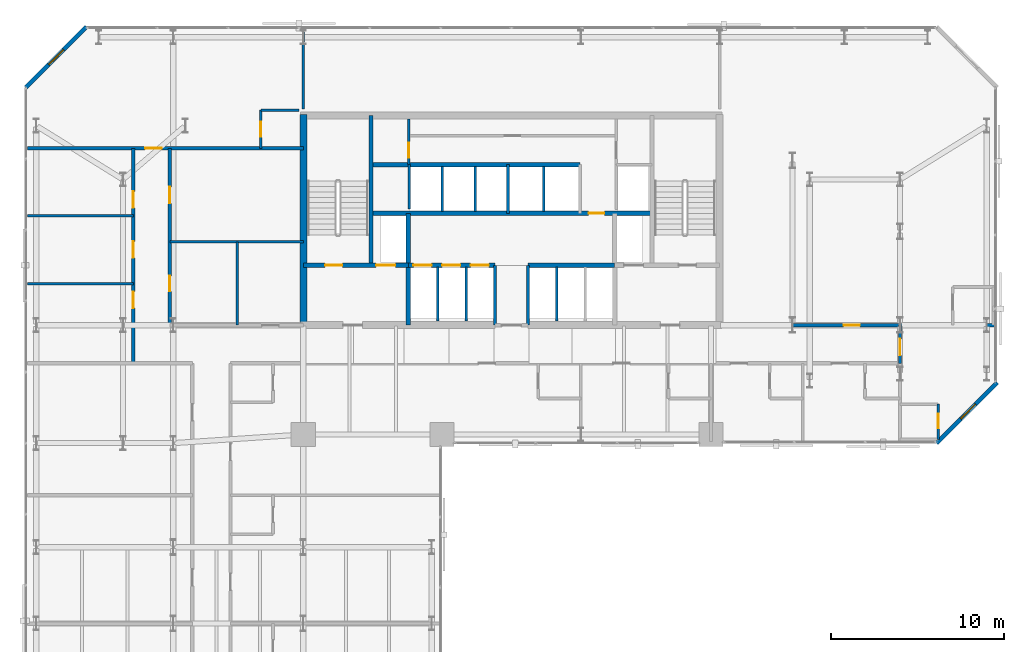
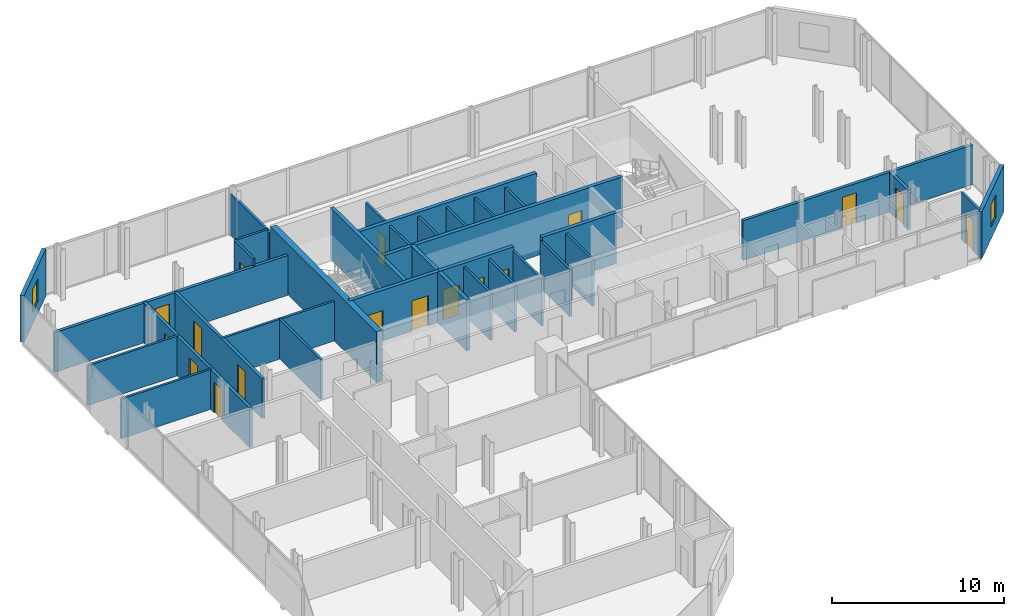
# One storey, part 30 of 33: 34 walls, 17 doors, 2 windows, 19 openings.
"""IFC4 building model written with IfcOpenShell, lengths in metres."""

from ifc_helpers import new_model, si_unit, direction, frame, frame_2d, origin, place, context, subcontext, project, spatial, rectangle, extrude, material, layer, layer_set, type_object, element, fill, save


model = new_model("IFC4")

# Units and contexts
model_context = context("Model", 3, precision=1e-05, world=origin(), true_north=direction((0.0, 1.0)))
body_context = subcontext(model_context, "Body", "Model", "MODEL_VIEW")
ifc_project = project(units=[si_unit("LENGTHUNIT", "METRE"), si_unit("AREAUNIT", "SQUARE_METRE"), si_unit("VOLUMEUNIT", "CUBIC_METRE"), si_unit("PLANEANGLEUNIT", "RADIAN"), si_unit("MASSUNIT", "GRAM", prefix="KILO")], contexts=[model_context])

# Site, building, storey
site_placement = place(None, origin())
site = spatial("IfcSite", under=ifc_project, at=site_placement, CompositionType="ELEMENT")
building_placement = place(site_placement, origin())
building = spatial("IfcBuilding", under=site, at=building_placement, Name="Catumbela Crestline Tower", CompositionType="ELEMENT")
storey_placement = place(building_placement, frame((0.0, 0.0, 58.2)))
storey = spatial("IfcBuildingStorey", under=building, at=storey_placement, Name="L14", CompositionType="ELEMENT", Elevation=58.2)

# Walls
ifc_material_1 = material(Name="Concrete C50/60", Category="concrete")
ifc_layer_1 = layer(ifc_material_1, 0.25, Name="Concrete C50/60")
ifc_layer_set_1 = layer_set([ifc_layer_1], Name="Concrete C50/60")
wall_type_1 = type_object("IfcWallType", Name="CW-250D", PredefinedType="SHEAR", material=ifc_layer_set_1)
wall_1_placement = place(storey_placement, frame((19.9, 34.25, 0.0), z_axis=(0.0, 0.0, 1.0), x_axis=(0.0, 1.0, 0.0)))
element("IfcWall", 1, at=wall_1_placement, inside=storey, type_object=wall_type_1, Name="L14 Structural Core Shear Wall WWEB", PredefinedType="SHEAR", context=body_context, shape_type="SweptSolid", body=[
    extrude(rectangle(XDim=8.65, YDim=0.25, at=frame_2d((4.325, 0.0))), origin(), (0.0, 0.0, 1.0), 3.6),
])
wall_2_placement = place(storey_placement, frame((22.05, 30.8, 0.0), z_axis=(0.0, 0.0, 1.0), x_axis=(0.0, 1.0, 0.0)))
element("IfcWall", 2, at=wall_2_placement, inside=storey, type_object=wall_type_1, Name="L14 Structural Core Shear Wall FFW", PredefinedType="SHEAR", context=body_context, shape_type="SweptSolid", body=[
    extrude(rectangle(XDim=6.45, YDim=0.25, at=frame_2d((3.225, 0.0))), origin(), (0.0, 0.0, 1.0), 3.6),
])

# Wall, openings, doors
wall_3_placement = place(storey_placement, frame((16.0, 34.25, 0.0), z_axis=(0.0, 0.0, 1.0), x_axis=(1.0, 0.0, 0.0)))
wall_3 = element("IfcWall", 3, at=wall_3_placement, inside=storey, type_object=wall_type_1, Name="L14 Structural Core Shear Wall ST1S", PredefinedType="SHEAR", context=body_context, shape_type="SweptSolid", body=[
    extrude(rectangle(XDim=6.05, YDim=0.25, at=frame_2d((3.025, 0.0))), origin(), (0.0, 0.0, 1.0), 3.6),
])
opening_1_placement = place(wall_3_placement, frame((1.25, 0.0, 0.0)))
opening_1 = element("IfcOpeningElement", 4, at=opening_1_placement, cuts=wall_3, Name="Opening DF9-100", PredefinedType="OPENING", context=body_context, shape_type="SweptSolid", body=[
    extrude(rectangle(XDim=1.0, YDim=2.15, at=frame_2d((0.5, 1.075))), frame((0.0, 0.135, 0.0), z_axis=(0.0, -1.0, 0.0), x_axis=(1.0, 0.0, 0.0)), (0.0, 0.0, 1.0), 0.27),
])
opening_2_placement = place(wall_3_placement, frame((4.2, 0.0, 0.0)))
opening_2 = element("IfcOpeningElement", 5, at=opening_2_placement, cuts=wall_3, Name="Opening LD-110", PredefinedType="OPENING", context=body_context, shape_type="SweptSolid", body=[
    extrude(rectangle(XDim=1.1, YDim=2.15, at=frame_2d((0.55, 1.075))), frame((0.0, 0.135, 0.0), z_axis=(0.0, -1.0, 0.0), x_axis=(1.0, 0.0, 0.0)), (0.0, 0.0, 1.0), 0.27),
])
ifc_material_2 = material(Name="Stainless steel EN 1.4401", Category="steel")
door_type_1 = type_object("IfcDoorType", Name="DF9-100", OperationType="NOTDEFINED", PredefinedType="DOOR", material=ifc_material_2)
door_1_placement = place(opening_1_placement, origin())
door_1 = element("IfcDoor", 6, at=door_1_placement, inside=storey, type_object=door_type_1, Name="L14 Interior Door DR-L14-ST01", OperationType="SINGLE_SWING_LEFT", OverallHeight=2.15, OverallWidth=1.0, PredefinedType="DOOR", context=body_context, shape_type="SweptSolid", body=[
    extrude(rectangle(XDim=1.0, YDim=2.15, at=frame_2d((0.5, 1.075))), frame((0.0, 0.025, 0.0), z_axis=(0.0, -1.0, 0.0), x_axis=(1.0, 0.0, 0.0)), (0.0, 0.0, 1.0), 0.05),
])
fill(opening_1, door_1)
door_type_2 = type_object("IfcDoorType", Name="LD-110", OperationType="NOTDEFINED", PredefinedType="DOOR", material=ifc_material_2)
door_2_placement = place(opening_2_placement, origin())
door_2 = element("IfcDoor", 7, at=door_2_placement, inside=storey, type_object=door_type_2, Name="L14 Lift Landing Sliding Door FL-01", OperationType="DOUBLE_DOOR_SLIDING", OverallHeight=2.15, OverallWidth=1.1, PredefinedType="DOOR", context=body_context, shape_type="SweptSolid", body=[
    extrude(rectangle(XDim=1.1, YDim=2.15, at=frame_2d((0.55, 1.075))), frame((0.0, 0.025, 0.0), z_axis=(0.0, -1.0, 0.0), x_axis=(1.0, 0.0, 0.0)), (0.0, 0.0, 1.0), 0.05),
])
fill(opening_2, door_2)

wall_4_placement = place(storey_placement, frame((22.05, 34.25, 0.0), z_axis=(0.0, 0.0, 1.0), x_axis=(1.0, 0.0, 0.0)))
wall_4 = element("IfcWall", 8, at=wall_4_placement, inside=storey, type_object=wall_type_1, Name="L14 Structural Core Shear Wall LIFTS-W", PredefinedType="SHEAR", context=body_context, shape_type="SweptSolid", body=[
    extrude(rectangle(XDim=5.0, YDim=0.25, at=frame_2d((2.5, 0.0))), origin(), (0.0, 0.0, 1.0), 3.6),
])
opening_3_placement = place(wall_4_placement, frame((0.3, 0.0, 0.0)))
opening_3 = element("IfcOpeningElement", 9, at=opening_3_placement, cuts=wall_4, Name="Opening LD-105", PredefinedType="OPENING", context=body_context, shape_type="SweptSolid", body=[
    extrude(rectangle(XDim=1.05, YDim=2.15, at=frame_2d((0.525, 1.075))), frame((0.0, 0.135, 0.0), z_axis=(0.0, -1.0, 0.0), x_axis=(1.0, 0.0, 0.0)), (0.0, 0.0, 1.0), 0.27),
])
opening_4_placement = place(wall_4_placement, frame((1.95, 0.0, 0.0)))
opening_4 = element("IfcOpeningElement", 10, at=opening_4_placement, cuts=wall_4, Name="Opening LD-105", PredefinedType="OPENING", context=body_context, shape_type="SweptSolid", body=[
    extrude(rectangle(XDim=1.05, YDim=2.15, at=frame_2d((0.525, 1.075))), frame((0.0, 0.135, 0.0), z_axis=(0.0, -1.0, 0.0), x_axis=(1.0, 0.0, 0.0)), (0.0, 0.0, 1.0), 0.27),
])
opening_5_placement = place(wall_4_placement, frame((3.6, 0.0, 0.0)))
opening_5 = element("IfcOpeningElement", 11, at=opening_5_placement, cuts=wall_4, Name="Opening LD-105", PredefinedType="OPENING", context=body_context, shape_type="SweptSolid", body=[
    extrude(rectangle(XDim=1.05, YDim=2.15, at=frame_2d((0.525, 1.075))), frame((0.0, 0.135, 0.0), z_axis=(0.0, -1.0, 0.0), x_axis=(1.0, 0.0, 0.0)), (0.0, 0.0, 1.0), 0.27),
])
door_type_3 = type_object("IfcDoorType", Name="LD-105", OperationType="NOTDEFINED", PredefinedType="DOOR", material=ifc_material_2)
door_3_placement = place(opening_3_placement, origin())
door_3 = element("IfcDoor", 12, at=door_3_placement, inside=storey, type_object=door_type_3, Name="L14 Lift Landing Sliding Door PL-L1", OperationType="DOUBLE_DOOR_SLIDING", OverallHeight=2.15, OverallWidth=1.05, PredefinedType="DOOR", context=body_context, shape_type="SweptSolid", body=[
    extrude(rectangle(XDim=1.05, YDim=2.15, at=frame_2d((0.525, 1.075))), frame((0.0, 0.025, 0.0), z_axis=(0.0, -1.0, 0.0), x_axis=(1.0, 0.0, 0.0)), (0.0, 0.0, 1.0), 0.05),
])
fill(opening_3, door_3)
door_4_placement = place(opening_4_placement, origin())
door_4 = element("IfcDoor", 13, at=door_4_placement, inside=storey, type_object=door_type_3, Name="L14 Lift Landing Sliding Door PL-L2", OperationType="DOUBLE_DOOR_SLIDING", OverallHeight=2.15, OverallWidth=1.05, PredefinedType="DOOR", context=body_context, shape_type="SweptSolid", body=[
    extrude(rectangle(XDim=1.05, YDim=2.15, at=frame_2d((0.525, 1.075))), frame((0.0, 0.025, 0.0), z_axis=(0.0, -1.0, 0.0), x_axis=(1.0, 0.0, 0.0)), (0.0, 0.0, 1.0), 0.05),
])
fill(opening_4, door_4)
door_5_placement = place(opening_5_placement, origin())
door_5 = element("IfcDoor", 14, at=door_5_placement, inside=storey, type_object=door_type_3, Name="L14 Lift Landing Sliding Door PL-L3", OperationType="DOUBLE_DOOR_SLIDING", OverallHeight=2.15, OverallWidth=1.05, PredefinedType="DOOR", context=body_context, shape_type="SweptSolid", body=[
    extrude(rectangle(XDim=1.05, YDim=2.15, at=frame_2d((0.525, 1.075))), frame((0.0, 0.025, 0.0), z_axis=(0.0, -1.0, 0.0), x_axis=(1.0, 0.0, 0.0)), (0.0, 0.0, 1.0), 0.05),
])
fill(opening_5, door_5)

# Wall
wall_5_placement = place(storey_placement, frame((28.95, 34.25, 0.0), z_axis=(0.0, 0.0, 1.0), x_axis=(1.0, 0.0, 0.0)))
element("IfcWall", 15, at=wall_5_placement, inside=storey, type_object=wall_type_1, Name="L14 Structural Core Shear Wall LIFTS-E", PredefinedType="SHEAR", context=body_context, shape_type="SweptSolid", body=[
    extrude(rectangle(XDim=5.0, YDim=0.25, at=frame_2d((2.5, 0.0))), origin(), (0.0, 0.0, 1.0), 3.6),
])

# Wall, opening, door
wall_6_placement = place(storey_placement, frame((19.9, 37.25, 0.0), z_axis=(0.0, 0.0, 1.0), x_axis=(1.0, 0.0, 0.0)))
wall_6 = element("IfcWall", 16, at=wall_6_placement, inside=storey, type_object=wall_type_1, Name="L14 Structural Core Shear Wall LIFTN", PredefinedType="SHEAR", context=body_context, shape_type="SweptSolid", body=[
    extrude(rectangle(XDim=16.2, YDim=0.25, at=frame_2d((8.1, 0.0))), origin(), (0.0, 0.0, 1.0), 3.6),
])
opening_6_placement = place(wall_6_placement, frame((12.55, 0.0, 0.0)))
opening_6 = element("IfcOpeningElement", 17, at=opening_6_placement, cuts=wall_6, Name="Opening DF9-090", PredefinedType="OPENING", context=body_context, shape_type="SweptSolid", body=[
    extrude(rectangle(XDim=0.9, YDim=2.15, at=frame_2d((0.45, 1.075))), frame((0.0, 0.135, 0.0), z_axis=(0.0, -1.0, 0.0), x_axis=(1.0, 0.0, 0.0)), (0.0, 0.0, 1.0), 0.27),
])
door_type_4 = type_object("IfcDoorType", Name="DF9-090", OperationType="NOTDEFINED", PredefinedType="DOOR", material=ifc_material_2)
door_6_placement = place(opening_6_placement, origin())
door_6 = element("IfcDoor", 18, at=door_6_placement, inside=storey, type_object=door_type_4, Name="L14 Interior Door DR-L14-CPAS1", OperationType="SINGLE_SWING_LEFT", OverallHeight=2.15, OverallWidth=0.9, PredefinedType="DOOR", context=body_context, shape_type="SweptSolid", body=[
    extrude(rectangle(XDim=0.9, YDim=2.15, at=frame_2d((0.45, 1.075))), frame((0.0, 0.025, 0.0), z_axis=(0.0, -1.0, 0.0), x_axis=(1.0, 0.0, 0.0)), (0.0, 0.0, 1.0), 0.05),
])
fill(opening_6, door_6)

# Walls
wall_7_placement = place(storey_placement, frame((19.9, 40.05, 0.0), z_axis=(0.0, 0.0, 1.0), x_axis=(1.0, 0.0, 0.0)))
element("IfcWall", 19, at=wall_7_placement, inside=storey, type_object=wall_type_1, Name="L14 Structural Core Shear Wall COREN", PredefinedType="SHEAR", context=body_context, shape_type="SweptSolid", body=[
    extrude(rectangle(XDim=12.05, YDim=0.25, at=frame_2d((6.025, 0.0))), origin(), (0.0, 0.0, 1.0), 3.6),
])
ifc_material_3 = material(Name="Concrete C60/75", Category="concrete")
ifc_layer_2 = layer(ifc_material_3, 0.4, Name="Concrete C60/75")
ifc_layer_set_2 = layer_set([ifc_layer_2], Name="Concrete C60/75")
wall_type_2 = type_object("IfcWallType", Name="CW-400A", PredefinedType="SHEAR", material=ifc_layer_set_2)
wall_8_placement = place(storey_placement, frame((16.0, 30.65, 0.0), z_axis=(0.0, 0.0, 1.0), x_axis=(0.0, 1.0, 0.0)))
element("IfcWall", 20, at=wall_8_placement, inside=storey, type_object=wall_type_2, Name="L14 Structural Core Shear Wall W", PredefinedType="SHEAR", context=body_context, shape_type="SweptSolid", body=[
    extrude(rectangle(XDim=12.3, YDim=0.4, at=frame_2d((6.15, 0.0))), origin(), (0.0, 0.0, 1.0), 3.6),
])

# Wall, openings, doors
ifc_material_4 = material(Name="Acoustic gypsum and mineral-wool partition")
ifc_layer_3 = layer(ifc_material_4, 0.2, Name="Acoustic gypsum and mineral-wool partition")
ifc_layer_set_3 = layer_set([ifc_layer_3], Name="Acoustic gypsum and mineral-wool partition")
wall_type_3 = type_object("IfcWallType", Name="WC-200", PredefinedType="PARTITIONING", material=ifc_layer_set_3)
wall_9_placement = place(storey_placement, frame((8.3, 30.8, 0.0), z_axis=(0.0, 0.0, 1.0), x_axis=(0.0, 1.0, 0.0)))
wall_9 = element("IfcWall", 21, at=wall_9_placement, inside=storey, type_object=wall_type_3, Name="L14 Interior Partition PW-L14-AWC-W", PredefinedType="PARTITIONING", context=body_context, shape_type="SweptSolid", body=[
    extrude(rectangle(XDim=10.2, YDim=0.2, at=frame_2d((5.1, 0.0))), origin(), (0.0, 0.0, 1.0), 2.82),
])
opening_7_placement = place(wall_9_placement, frame((1.95, 0.0, 0.0)))
opening_7 = element("IfcOpeningElement", 22, at=opening_7_placement, cuts=wall_9, Name="Opening DI-090", PredefinedType="OPENING", context=body_context, shape_type="SweptSolid", body=[
    extrude(rectangle(XDim=0.9, YDim=2.15, at=frame_2d((0.45, 1.075))), frame((0.0, 0.11, 0.0), z_axis=(0.0, -1.0, 0.0), x_axis=(1.0, 0.0, 0.0)), (0.0, 0.0, 1.0), 0.22),
])
opening_8_placement = place(wall_9_placement, frame((7.025, 0.0, 0.0)))
opening_8 = element("IfcOpeningElement", 23, at=opening_8_placement, cuts=wall_9, Name="Opening DF6-095", PredefinedType="OPENING", context=body_context, shape_type="SweptSolid", body=[
    extrude(rectangle(XDim=0.95, YDim=2.15, at=frame_2d((0.475, 1.075))), frame((0.0, 0.11, 0.0), z_axis=(0.0, -1.0, 0.0), x_axis=(1.0, 0.0, 0.0)), (0.0, 0.0, 1.0), 0.22),
])
ifc_material_5 = material(Name="Aluminium alloy AW-6060-T66", Category="aluminium")
door_type_5 = type_object("IfcDoorType", Name="DF6-095", OperationType="NOTDEFINED", PredefinedType="DOOR", material=ifc_material_5)
door_7_placement = place(opening_8_placement, origin())
door_7 = element("IfcDoor", 24, at=door_7_placement, inside=storey, type_object=door_type_5, Name="L14 Interior Door DR-L14-TEA-ENT", OperationType="SINGLE_SWING_LEFT", OverallHeight=2.15, OverallWidth=0.95, PredefinedType="DOOR", context=body_context, shape_type="SweptSolid", body=[
    extrude(rectangle(XDim=0.95, YDim=2.15, at=frame_2d((0.475, 1.075))), frame((0.0, 0.025, 0.0), z_axis=(0.0, -1.0, 0.0), x_axis=(1.0, 0.0, 0.0)), (0.0, 0.0, 1.0), 0.05),
])
fill(opening_8, door_7)
door_type_6 = type_object("IfcDoorType", Name="DI-090", OperationType="NOTDEFINED", PredefinedType="DOOR", material=ifc_material_5)
door_8_placement = place(opening_7_placement, origin())
door_8 = element("IfcDoor", 25, at=door_8_placement, inside=storey, type_object=door_type_6, Name="L14 Interior Door DR-L14-STWC", OperationType="SINGLE_SWING_RIGHT", OverallHeight=2.15, OverallWidth=0.9, PredefinedType="DOOR", context=body_context, shape_type="SweptSolid", body=[
    extrude(rectangle(XDim=0.9, YDim=2.15, at=frame_2d((0.45, 1.075))), frame((0.0, 0.025, 0.0), z_axis=(0.0, -1.0, 0.0), x_axis=(1.0, 0.0, 0.0)), (0.0, 0.0, 1.0), 0.05),
])
fill(opening_7, door_8)

# Wall, opening, door
wall_10_placement = place(storey_placement, frame((0.1, 41.0, 0.0), z_axis=(0.0, 0.0, 1.0), x_axis=(1.0, 0.0, 0.0)))
wall_10 = element("IfcWall", 26, at=wall_10_placement, inside=storey, type_object=wall_type_3, Name="L14 Interior Partition PW-L14-NWTOP-ENT", PredefinedType="PARTITIONING", context=body_context, shape_type="SweptSolid", body=[
    extrude(rectangle(XDim=15.9, YDim=0.2, at=frame_2d((7.95, 0.0))), origin(), (0.0, 0.0, 1.0), 2.82),
])
opening_9_placement = place(wall_10_placement, frame((6.7788, 0.0, 0.0)))
opening_9 = element("IfcOpeningElement", 27, at=opening_9_placement, cuts=wall_10, Name="Opening DF6-095", PredefinedType="OPENING", context=body_context, shape_type="SweptSolid", body=[
    extrude(rectangle(XDim=0.95, YDim=2.15, at=frame_2d((0.475, 1.075))), frame((0.0, 0.11, 0.0), z_axis=(0.0, -1.0, 0.0), x_axis=(1.0, 0.0, 0.0)), (0.0, 0.0, 1.0), 0.22),
])
door_9_placement = place(opening_9_placement, origin())
door_9 = element("IfcDoor", 28, at=door_9_placement, inside=storey, type_object=door_type_5, Name="L14 Interior Door DR-L14-NWTOP-ENT", OperationType="SINGLE_SWING_LEFT", OverallHeight=2.15, OverallWidth=0.95, PredefinedType="DOOR", context=body_context, shape_type="SweptSolid", body=[
    extrude(rectangle(XDim=0.95, YDim=2.15, at=frame_2d((0.475, 1.075))), frame((0.0, 0.025, 0.0), z_axis=(0.0, -1.0, 0.0), x_axis=(1.0, 0.0, 0.0)), (0.0, 0.0, 1.0), 0.05),
])
fill(opening_9, door_9)

# Wall, openings, doors
wall_11_placement = place(storey_placement, frame((6.2, 28.6, 0.0), z_axis=(0.0, 0.0, 1.0), x_axis=(0.0, 1.0, 0.0)))
wall_11 = element("IfcWall", 29, at=wall_11_placement, inside=storey, type_object=wall_type_3, Name="L14 Interior Partition PW-L14-TR1-ENT", PredefinedType="PARTITIONING", context=body_context, shape_type="SweptSolid", body=[
    extrude(rectangle(XDim=12.4, YDim=0.2, at=frame_2d((6.2, 0.0))), origin(), (0.0, 0.0, 1.0), 2.82),
])
opening_10_placement = place(wall_11_placement, frame((3.1818, 0.0, 0.0)))
opening_10 = element("IfcOpeningElement", 30, at=opening_10_placement, cuts=wall_11, Name="Opening DF6-095", PredefinedType="OPENING", context=body_context, shape_type="SweptSolid", body=[
    extrude(rectangle(XDim=0.95, YDim=2.15, at=frame_2d((0.475, 1.075))), frame((0.0, 0.11, 0.0), z_axis=(0.0, -1.0, 0.0), x_axis=(1.0, 0.0, 0.0)), (0.0, 0.0, 1.0), 0.22),
])
opening_11_placement = place(wall_11_placement, frame((6.075, 0.0, 0.0)))
opening_11 = element("IfcOpeningElement", 31, at=opening_11_placement, cuts=wall_11, Name="Opening DF6-095", PredefinedType="OPENING", context=body_context, shape_type="SweptSolid", body=[
    extrude(rectangle(XDim=0.95, YDim=2.15, at=frame_2d((0.475, 1.075))), frame((0.0, 0.11, 0.0), z_axis=(0.0, -1.0, 0.0), x_axis=(1.0, 0.0, 0.0)), (0.0, 0.0, 1.0), 0.22),
])
opening_12_placement = place(wall_11_placement, frame((8.966, 0.0, 0.0)))
opening_12 = element("IfcOpeningElement", 32, at=opening_12_placement, cuts=wall_11, Name="Opening DF6-095", PredefinedType="OPENING", context=body_context, shape_type="SweptSolid", body=[
    extrude(rectangle(XDim=0.95, YDim=2.15, at=frame_2d((0.475, 1.075))), frame((0.0, 0.11, 0.0), z_axis=(0.0, -1.0, 0.0), x_axis=(1.0, 0.0, 0.0)), (0.0, 0.0, 1.0), 0.22),
])
door_10_placement = place(opening_10_placement, origin())
door_10 = element("IfcDoor", 33, at=door_10_placement, inside=storey, type_object=door_type_5, Name="L14 Interior Door DR-L14-TR1-ENT", OperationType="SINGLE_SWING_RIGHT", OverallHeight=2.15, OverallWidth=0.95, PredefinedType="DOOR", context=body_context, shape_type="SweptSolid", body=[
    extrude(rectangle(XDim=0.95, YDim=2.15, at=frame_2d((0.475, 1.075))), frame((0.0, 0.025, 0.0), z_axis=(0.0, -1.0, 0.0), x_axis=(1.0, 0.0, 0.0)), (0.0, 0.0, 1.0), 0.05),
])
fill(opening_10, door_10)
door_11_placement = place(opening_11_placement, origin())
door_11 = element("IfcDoor", 34, at=door_11_placement, inside=storey, type_object=door_type_5, Name="L14 Interior Door DR-L14-TR2-ENT", OperationType="SINGLE_SWING_LEFT", OverallHeight=2.15, OverallWidth=0.95, PredefinedType="DOOR", context=body_context, shape_type="SweptSolid", body=[
    extrude(rectangle(XDim=0.95, YDim=2.15, at=frame_2d((0.475, 1.075))), frame((0.0, 0.025, 0.0), z_axis=(0.0, -1.0, 0.0), x_axis=(1.0, 0.0, 0.0)), (0.0, 0.0, 1.0), 0.05),
])
fill(opening_11, door_11)
door_12_placement = place(opening_12_placement, origin())
door_12 = element("IfcDoor", 35, at=door_12_placement, inside=storey, type_object=door_type_5, Name="L14 Interior Door DR-L14-TR3-ENT", OperationType="SINGLE_SWING_LEFT", OverallHeight=2.15, OverallWidth=0.95, PredefinedType="DOOR", context=body_context, shape_type="SweptSolid", body=[
    extrude(rectangle(XDim=0.95, YDim=2.15, at=frame_2d((0.475, 1.075))), frame((0.0, 0.025, 0.0), z_axis=(0.0, -1.0, 0.0), x_axis=(1.0, 0.0, 0.0)), (0.0, 0.0, 1.0), 0.05),
])
fill(opening_12, door_12)

# Wall, opening, door
wall_12_placement = place(storey_placement, frame((40.47, 30.8, 0.0), z_axis=(0.0, 0.0, 1.0), x_axis=(1.0, 0.0, 0.0)))
wall_12 = element("IfcWall", 36, at=wall_12_placement, inside=storey, type_object=wall_type_3, Name="L14 Interior Partition PW-L14-NES-ENT", PredefinedType="PARTITIONING", context=body_context, shape_type="SweptSolid", body=[
    extrude(rectangle(XDim=15.43, YDim=0.2, at=frame_2d((7.715, 0.0))), origin(), (0.0, 0.0, 1.0), 2.82),
])
opening_13_placement = place(wall_12_placement, frame((6.6725, 0.0, 0.0)))
opening_13 = element("IfcOpeningElement", 37, at=opening_13_placement, cuts=wall_12, Name="Opening DF6-095", PredefinedType="OPENING", context=body_context, shape_type="SweptSolid", body=[
    extrude(rectangle(XDim=0.95, YDim=2.15, at=frame_2d((0.475, 1.075))), frame((0.0, 0.11, 0.0), z_axis=(0.0, -1.0, 0.0), x_axis=(1.0, 0.0, 0.0)), (0.0, 0.0, 1.0), 0.22),
])
door_13_placement = place(opening_13_placement, origin())
door_13 = element("IfcDoor", 38, at=door_13_placement, inside=storey, type_object=door_type_5, Name="L14 Interior Door DR-L14-NES-ENT", OperationType="SINGLE_SWING_LEFT", OverallHeight=2.15, OverallWidth=0.95, PredefinedType="DOOR", context=body_context, shape_type="SweptSolid", body=[
    extrude(rectangle(XDim=0.95, YDim=2.15, at=frame_2d((0.475, 1.075))), frame((0.0, 0.025, 0.0), z_axis=(0.0, -1.0, 0.0), x_axis=(1.0, 0.0, 0.0)), (0.0, 0.0, 1.0), 0.05),
])
fill(opening_13, door_13)

wall_13_placement = place(storey_placement, frame((50.4, 28.6, 0.0), z_axis=(0.0, 0.0, 1.0), x_axis=(0.0, 1.0, 0.0)))
wall_13 = element("IfcWall", 39, at=wall_13_placement, inside=storey, type_object=wall_type_3, Name="L14 Interior Partition PW-L14-NESE-ENT", PredefinedType="PARTITIONING", context=body_context, shape_type="SweptSolid", body=[
    extrude(rectangle(XDim=2.2, YDim=0.2, at=frame_2d((1.1, 0.0))), origin(), (0.0, 0.0, 1.0), 2.82),
])
opening_14_placement = place(wall_13_placement, frame((0.46, 0.0, 0.0)))
opening_14 = element("IfcOpeningElement", 40, at=opening_14_placement, cuts=wall_13, Name="Opening DF6-095", PredefinedType="OPENING", context=body_context, shape_type="SweptSolid", body=[
    extrude(rectangle(XDim=0.95, YDim=2.15, at=frame_2d((0.475, 1.075))), frame((0.0, 0.11, 0.0), z_axis=(0.0, -1.0, 0.0), x_axis=(1.0, 0.0, 0.0)), (0.0, 0.0, 1.0), 0.22),
])
door_14_placement = place(opening_14_placement, origin())
door_14 = element("IfcDoor", 41, at=door_14_placement, inside=storey, type_object=door_type_5, Name="L14 Interior Door DR-L14-NESE-ENT", OperationType="SINGLE_SWING_RIGHT", OverallHeight=2.15, OverallWidth=0.95, PredefinedType="DOOR", context=body_context, shape_type="SweptSolid", body=[
    extrude(rectangle(XDim=0.95, YDim=2.15, at=frame_2d((0.475, 1.075))), frame((0.0, 0.025, 0.0), z_axis=(0.0, -1.0, 0.0), x_axis=(1.0, 0.0, 0.0)), (0.0, 0.0, 1.0), 0.05),
])
fill(opening_14, door_14)

# Wall, opening, window
ifc_material_6 = material(Name="Angolan grey-ochre granite", Category="masonry")
ifc_layer_4 = layer(ifc_material_6, 0.25, Name="Angolan grey-ochre granite")
ifc_layer_set_4 = layer_set([ifc_layer_4], Name="Angolan grey-ochre granite")
wall_type_4 = type_object("IfcWallType", Name="WE-250", PredefinedType="STANDARD", material=ifc_layer_set_4)
wall_14_placement = place(storey_placement, frame((52.5, 24.0, 0.0), z_axis=(0.0, 0.0, 1.0), x_axis=(0.707106781187, 0.707106781187, 0.0)))
wall_14 = element("IfcWall", 42, at=wall_14_placement, inside=storey, type_object=wall_type_4, Name="L14 Granite Punched Window Wall 4-1", PredefinedType="STANDARD", context=body_context, shape_type="SweptSolid", body=[
    extrude(rectangle(XDim=4.9497, YDim=0.25, at=frame_2d((2.4748, 0.0))), origin(), (0.0, 0.0, 1.0), 3.33),
])
opening_15_placement = place(wall_14_placement, frame((1.9851, 0.0, 0.85)))
opening_15 = element("IfcOpeningElement", 43, at=opening_15_placement, cuts=wall_14, Name="Opening WN-02", PredefinedType="OPENING", context=body_context, shape_type="SweptSolid", body=[
    extrude(rectangle(XDim=1.2, YDim=1.6, at=frame_2d((0.6, 0.8))), frame((0.0, 0.135, 0.0), z_axis=(0.0, -1.0, 0.0), x_axis=(1.0, 0.0, 0.0)), (0.0, 0.0, 1.0), 0.27),
])
ifc_material_7 = material(Name="Low-E laminated solar-control double glazing", Category="glass")
window_type = type_object("IfcWindowType", Name="WO-1200", PartitioningType="SINGLE_PANEL", PredefinedType="WINDOW", material=ifc_material_7)
window_1_placement = place(opening_15_placement, origin())
window_1 = element("IfcWindow", 44, at=window_1_placement, inside=storey, type_object=window_type, Name="L14 Facade Vision Window 94", OverallHeight=1.6, OverallWidth=1.2, PartitioningType="SINGLE_PANEL", PredefinedType="WINDOW", context=body_context, shape_type="SweptSolid", body=[
    extrude(rectangle(XDim=1.2, YDim=1.6, at=frame_2d((0.6, 0.8))), frame((0.0, 0.03, 0.0), z_axis=(0.0, -1.0, 0.0), x_axis=(1.0, 0.0, 0.0)), (0.0, 0.0, 1.0), 0.06),
])
fill(opening_15, window_1)

wall_15_placement = place(storey_placement, frame((3.5, 48.0, 0.0), z_axis=(0.0, 0.0, 1.0), x_axis=(-0.707106781187, -0.707106781187, 0.0)))
wall_15 = element("IfcWall", 45, at=wall_15_placement, inside=storey, type_object=wall_type_4, Name="L14 Granite Punched Window Wall 8-1", PredefinedType="STANDARD", context=body_context, shape_type="SweptSolid", body=[
    extrude(rectangle(XDim=4.9497, YDim=0.25, at=frame_2d((2.4748, 0.0))), origin(), (0.0, 0.0, 1.0), 3.33),
])
opening_16_placement = place(wall_15_placement, frame((1.8748, 0.0, 0.85)))
opening_16 = element("IfcOpeningElement", 46, at=opening_16_placement, cuts=wall_15, Name="Opening WN-02", PredefinedType="OPENING", context=body_context, shape_type="SweptSolid", body=[
    extrude(rectangle(XDim=1.2, YDim=1.6, at=frame_2d((0.6, 0.8))), frame((0.0, 0.135, 0.0), z_axis=(0.0, -1.0, 0.0), x_axis=(1.0, 0.0, 0.0)), (0.0, 0.0, 1.0), 0.27),
])
window_2_placement = place(opening_16_placement, origin())
window_2 = element("IfcWindow", 47, at=window_2_placement, inside=storey, type_object=window_type, Name="L14 Facade Vision Window 96", OverallHeight=1.6, OverallWidth=1.2, PartitioningType="SINGLE_PANEL", PredefinedType="WINDOW", context=body_context, shape_type="SweptSolid", body=[
    extrude(rectangle(XDim=1.2, YDim=1.6, at=frame_2d((0.6, 0.8))), frame((0.0, 0.03, 0.0), z_axis=(0.0, -1.0, 0.0), x_axis=(1.0, 0.0, 0.0)), (0.0, 0.0, 1.0), 0.06),
])
fill(opening_16, window_2)

# Wall, opening, door
ifc_layer_5 = layer(ifc_material_4, 0.15, Name="Acoustic gypsum and mineral-wool partition")
ifc_layer_set_5 = layer_set([ifc_layer_5], Name="Acoustic gypsum and mineral-wool partition")
wall_type_5 = type_object("IfcWallType", Name="WP-150", PredefinedType="PARTITIONING", material=ifc_layer_set_5)
wall_16_placement = place(storey_placement, frame((22.08, 40.05, 0.0), z_axis=(0.0, 0.0, 1.0), x_axis=(0.0, 1.0, 0.0)))
wall_16 = element("IfcWall", 48, at=wall_16_placement, inside=storey, type_object=wall_type_5, Name="L14 Interior Partition PW-L14-CR-WCW", PredefinedType="PARTITIONING", context=body_context, shape_type="SweptSolid", body=[
    extrude(rectangle(XDim=2.63, YDim=0.15, at=frame_2d((1.315, 0.0))), origin(), (0.0, 0.0, 1.0), 3.33),
])
opening_17_placement = place(wall_16_placement, frame((0.41, 0.0, 0.0)))
opening_17 = element("IfcOpeningElement", 49, at=opening_17_placement, cuts=wall_16, Name="Opening DI-085", PredefinedType="OPENING", context=body_context, shape_type="SweptSolid", body=[
    extrude(rectangle(XDim=0.85, YDim=2.15, at=frame_2d((0.425, 1.075))), frame((0.0, 0.085, 0.0), z_axis=(0.0, -1.0, 0.0), x_axis=(1.0, 0.0, 0.0)), (0.0, 0.0, 1.0), 0.17),
])
door_type_7 = type_object("IfcDoorType", Name="DI-085", OperationType="NOTDEFINED", PredefinedType="DOOR", material=ifc_material_5)
door_15_placement = place(opening_17_placement, origin())
door_15 = element("IfcDoor", 50, at=door_15_placement, inside=storey, type_object=door_type_7, Name="L14 Interior Door DR-L14-CRWC", OperationType="SINGLE_SWING_LEFT", OverallHeight=2.15, OverallWidth=0.85, PredefinedType="DOOR", context=body_context, shape_type="SweptSolid", body=[
    extrude(rectangle(XDim=0.85, YDim=2.15, at=frame_2d((0.425, 1.075))), frame((0.0, 0.025, 0.0), z_axis=(0.0, -1.0, 0.0), x_axis=(1.0, 0.0, 0.0)), (0.0, 0.0, 1.0), 0.05),
])
fill(opening_17, door_15)

# Walls
wall_17_placement = place(storey_placement, frame((8.3, 35.6, 0.0), z_axis=(0.0, 0.0, 1.0), x_axis=(1.0, 0.0, 0.0)))
element("IfcWall", 51, at=wall_17_placement, inside=storey, type_object=wall_type_5, Name="L14 Interior Partition PW-L14-HK-N", PredefinedType="PARTITIONING", context=body_context, shape_type="SweptSolid", body=[
    extrude(rectangle(XDim=7.7, YDim=0.15, at=frame_2d((3.85, 0.0))), origin(), (0.0, 0.0, 1.0), 2.82),
])
wall_18_placement = place(storey_placement, frame((12.2, 30.8, 0.0), z_axis=(0.0, 0.0, 1.0), x_axis=(0.0, 1.0, 0.0)))
element("IfcWall", 52, at=wall_18_placement, inside=storey, type_object=wall_type_5, Name="L14 Interior Partition PW-L14-HK-M", PredefinedType="PARTITIONING", context=body_context, shape_type="SweptSolid", body=[
    extrude(rectangle(XDim=4.8, YDim=0.15, at=frame_2d((2.4, 0.0))), origin(), (0.0, 0.0, 1.0), 2.82),
])
wall_19_placement = place(storey_placement, frame((13.55, 43.2, 0.0), z_axis=(0.0, 0.0, 1.0), x_axis=(1.0, 0.0, 0.0)))
element("IfcWall", 53, at=wall_19_placement, inside=storey, type_object=wall_type_5, Name="L14 Interior Partition PW-L14-NWTOP-BHW", PredefinedType="PARTITIONING", context=body_context, shape_type="SweptSolid", body=[
    extrude(rectangle(XDim=2.1897, YDim=0.15, at=frame_2d((1.0949, 0.0))), origin(), (0.0, 0.0, 1.0), 3.33),
])

# Wall, opening, door
wall_20_placement = place(storey_placement, frame((13.55, 41.0, 0.0), z_axis=(0.0, 0.0, 1.0), x_axis=(0.0, 1.0, 0.0)))
wall_20 = element("IfcWall", 54, at=wall_20_placement, inside=storey, type_object=wall_type_5, Name="L14 Interior Partition PW-L14-NWTOP-BWW", PredefinedType="PARTITIONING", context=body_context, shape_type="SweptSolid", body=[
    extrude(rectangle(XDim=2.2, YDim=0.15, at=frame_2d((1.1, 0.0))), origin(), (0.0, 0.0, 1.0), 3.33),
])
opening_18_placement = place(wall_20_placement, frame((0.675, 0.0, 0.0)))
opening_18 = element("IfcOpeningElement", 55, at=opening_18_placement, cuts=wall_20, Name="Opening DI-085", PredefinedType="OPENING", context=body_context, shape_type="SweptSolid", body=[
    extrude(rectangle(XDim=0.85, YDim=2.15, at=frame_2d((0.425, 1.075))), frame((0.0, 0.085, 0.0), z_axis=(0.0, -1.0, 0.0), x_axis=(1.0, 0.0, 0.0)), (0.0, 0.0, 1.0), 0.17),
])
door_16_placement = place(opening_18_placement, origin())
door_16 = element("IfcDoor", 56, at=door_16_placement, inside=storey, type_object=door_type_7, Name="L14 Interior Door DR-L14-NWTOP-BTH", OperationType="SINGLE_SWING_RIGHT", OverallHeight=2.15, OverallWidth=0.85, PredefinedType="DOOR", context=body_context, shape_type="SweptSolid", body=[
    extrude(rectangle(XDim=0.85, YDim=2.15, at=frame_2d((0.425, 1.075))), frame((0.0, 0.025, 0.0), z_axis=(0.0, -1.0, 0.0), x_axis=(1.0, 0.0, 0.0)), (0.0, 0.0, 1.0), 0.05),
])
fill(opening_18, door_16)

# Walls
for number, where, z_axis, x_axis, name in (
    (57, (0.1, 33.2, 0.0), (0.0, 0.0, 1.0), (1.0, 0.0, 0.0), "L14 Interior Partition PW-L14-G3-1"),
    (58, (0.1, 37.1, 0.0), (0.0, 0.0, 1.0), (1.0, 0.0, 0.0), "L14 Interior Partition PW-L14-G3-2"),
):
    element("IfcWall", number, at=place(storey_placement, frame(where, z_axis=z_axis, x_axis=x_axis)), inside=storey, type_object=wall_type_5, Name=name, PredefinedType="PARTITIONING", context=body_context, shape_type="SweptSolid", body=[
        extrude(rectangle(XDim=6.1, YDim=0.15, at=frame_2d((3.05, 0.0))), origin(), (0.0, 0.0, 1.0), 2.82),
    ])
wall_21_placement = place(storey_placement, frame((16.0, 43.27, 0.0), z_axis=(0.0, 0.0, 1.0), x_axis=(0.0, 1.0, 0.0)))
element("IfcWall", 59, at=wall_21_placement, inside=storey, type_object=wall_type_5, Name="L14 Interior Partition PW-L14-NCF-W", PredefinedType="PARTITIONING", context=body_context, shape_type="SweptSolid", body=[
    extrude(rectangle(XDim=4.63, YDim=0.15, at=frame_2d((2.315, 0.0))), origin(), (0.0, 0.0, 1.0), 2.93),
])

# Wall, opening, door
wall_22_placement = place(storey_placement, frame((52.6, 24.2, 0.0), z_axis=(0.0, 0.0, 1.0), x_axis=(0.0, 1.0, 0.0)))
wall_22 = element("IfcWall", 60, at=wall_22_placement, inside=storey, type_object=wall_type_5, Name="L14 Interior Partition PW-L14-NESE-BEW", PredefinedType="PARTITIONING", context=body_context, shape_type="SweptSolid", body=[
    extrude(rectangle(XDim=2.05, YDim=0.15, at=frame_2d((1.025, 0.0))), origin(), (0.0, 0.0, 1.0), 3.33),
])
opening_19_placement = place(wall_22_placement, frame((0.6514, 0.0, 0.0)))
opening_19 = element("IfcOpeningElement", 61, at=opening_19_placement, cuts=wall_22, Name="Opening DI-085", PredefinedType="OPENING", context=body_context, shape_type="SweptSolid", body=[
    extrude(rectangle(XDim=0.85, YDim=2.15, at=frame_2d((0.425, 1.075))), frame((0.0, 0.085, 0.0), z_axis=(0.0, -1.0, 0.0), x_axis=(1.0, 0.0, 0.0)), (0.0, 0.0, 1.0), 0.17),
])
door_17_placement = place(opening_19_placement, origin())
door_17 = element("IfcDoor", 62, at=door_17_placement, inside=storey, type_object=door_type_7, Name="L14 Interior Door DR-L14-NESE-BTH", OperationType="SINGLE_SWING_LEFT", OverallHeight=2.15, OverallWidth=0.85, PredefinedType="DOOR", context=body_context, shape_type="SweptSolid", body=[
    extrude(rectangle(XDim=0.85, YDim=2.15, at=frame_2d((0.425, 1.075))), frame((0.0, 0.025, 0.0), z_axis=(0.0, -1.0, 0.0), x_axis=(1.0, 0.0, 0.0)), (0.0, 0.0, 1.0), 0.05),
])
fill(opening_19, door_17)

# Walls
ifc_layer_6 = layer(ifc_material_4, 0.15, Name="Acoustic gypsum and mineral-wool partition")
ifc_layer_set_6 = layer_set([ifc_layer_6], Name="Acoustic gypsum and mineral-wool partition")
wall_type_6 = type_object("IfcWallType", Name="WS-150", PredefinedType="PLUMBINGWALL", material=ifc_layer_set_6)
for number, where, z_axis, x_axis, name in (
    (63, (27.05, 30.8, 0.0), (0.0, 0.0, 1.0), (0.0, 1.0, 0.0), "L14 Interior Partition PW-L14-THRW"),
    (64, (28.95, 30.8, 0.0), (0.0, 0.0, 1.0), (0.0, 1.0, 0.0), "L14 Interior Partition PW-L14-THRE"),
):
    element("IfcWall", number, at=place(storey_placement, frame(where, z_axis=z_axis, x_axis=x_axis)), inside=storey, type_object=wall_type_6, Name=name, PredefinedType="PLUMBINGWALL", context=body_context, shape_type="SweptSolid", body=[
        extrude(rectangle(XDim=3.45, YDim=0.15, at=frame_2d((1.725, 0.0))), origin(), (0.0, 0.0, 1.0), 3.33),
    ])
for number, where, z_axis, x_axis, name in (
    (65, (23.75, 31.05, 0.0), (0.0, 0.0, 1.0), (0.0, 1.0, 0.0), "L14 Interior Partition PW-L14-SHL1"),
    (66, (25.4, 31.05, 0.0), (0.0, 0.0, 1.0), (0.0, 1.0, 0.0), "L14 Interior Partition PW-L14-SHL2"),
    (67, (30.6, 31.05, 0.0), (0.0, 0.0, 1.0), (0.0, 1.0, 0.0), "L14 Interior Partition PW-L14-SHM1"),
):
    element("IfcWall", number, at=place(storey_placement, frame(where, z_axis=z_axis, x_axis=x_axis)), inside=storey, type_object=wall_type_6, Name=name, PredefinedType="PLUMBINGWALL", context=body_context, shape_type="SweptSolid", body=[
        extrude(rectangle(XDim=3.1, YDim=0.15, at=frame_2d((1.55, 0.0))), origin(), (0.0, 0.0, 1.0), 3.33),
    ])
wall_23_placement = place(storey_placement, frame((22.1, 37.4897, 0.0), z_axis=(0.0, 0.0, 1.0), x_axis=(0.0, 1.0, 0.0)))
element("IfcWall", 68, at=wall_23_placement, inside=storey, type_object=wall_type_6, Name="L14 Interior Partition PW-L14-SHH0", PredefinedType="PLUMBINGWALL", context=body_context, shape_type="SweptSolid", body=[
    extrude(rectangle(XDim=2.5603, YDim=0.15, at=frame_2d((1.2801, 0.0))), origin(), (0.0, 0.0, 1.0), 3.33),
])
wall_24_placement = place(storey_placement, frame((27.8, 37.25, 0.0), z_axis=(0.0, 0.0, 1.0), x_axis=(0.0, 1.0, 0.0)))
element("IfcWall", 69, at=wall_24_placement, inside=storey, type_object=wall_type_6, Name="L14 Interior Partition PW-L14-SHH3", PredefinedType="PLUMBINGWALL", context=body_context, shape_type="SweptSolid", body=[
    extrude(rectangle(XDim=2.8, YDim=0.15, at=frame_2d((1.4, 0.0))), origin(), (0.0, 0.0, 1.0), 3.33),
])
for number, where, z_axis, x_axis, name in (
    (70, (24.0, 37.35, 0.0), (0.0, 0.0, 1.0), (0.0, 1.0, 0.0), "L14 Interior Partition PW-L14-SHH1"),
    (71, (25.9, 37.35, 0.0), (0.0, 0.0, 1.0), (0.0, 1.0, 0.0), "L14 Interior Partition PW-L14-SHH2"),
    (72, (29.85, 37.35, 0.0), (0.0, 0.0, 1.0), (0.0, 1.0, 0.0), "L14 Interior Partition PW-L14-SHEX1"),
):
    element("IfcWall", number, at=place(storey_placement, frame(where, z_axis=z_axis, x_axis=x_axis)), inside=storey, type_object=wall_type_6, Name=name, PredefinedType="PLUMBINGWALL", context=body_context, shape_type="SweptSolid", body=[
        extrude(rectangle(XDim=2.6, YDim=0.15, at=frame_2d((1.3, 0.0))), origin(), (0.0, 0.0, 1.0), 3.33),
    ])

save(model, "model.ifc")
